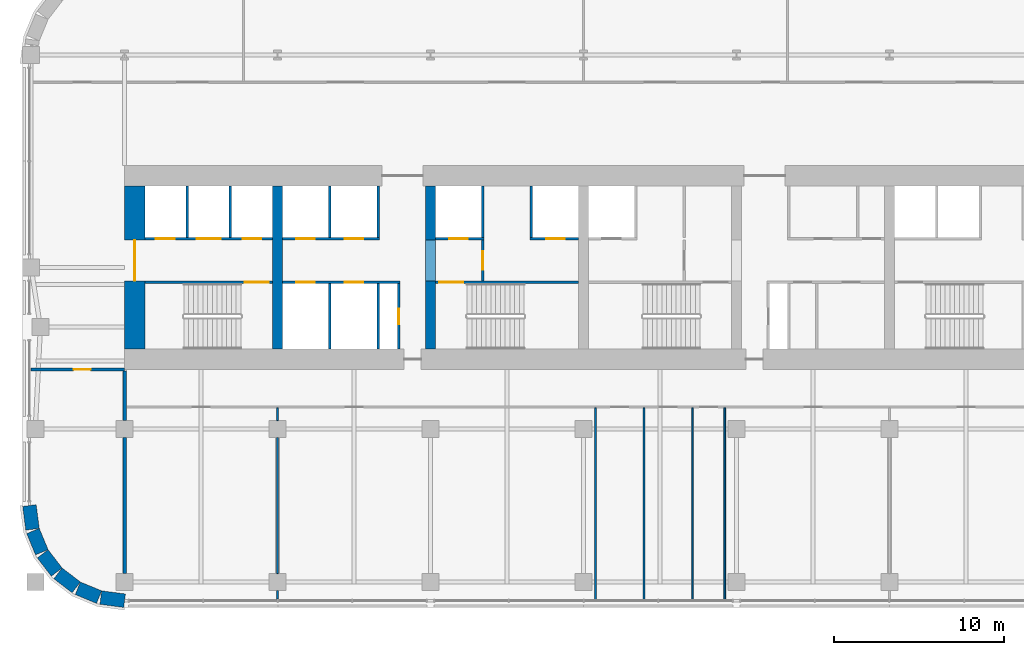
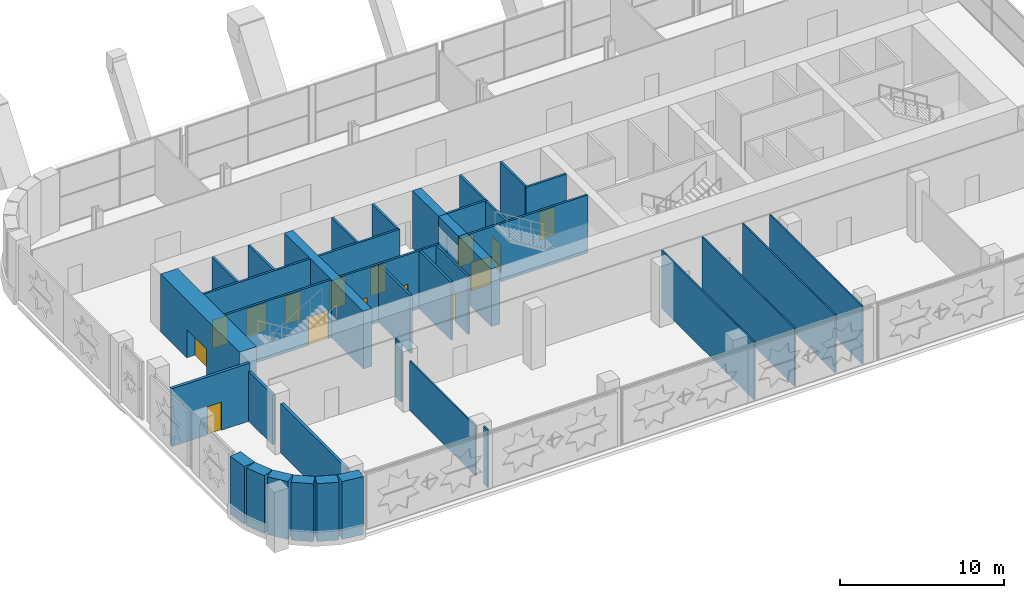
# One storey, part 16 of 24: 38 walls, 15 doors, 15 openings.
"""IFC4 building model written with IfcOpenShell, lengths in metres."""

from ifc_helpers import new_model, si_unit, direction, frame, frame_2d, origin, place, context, subcontext, project, spatial, rectangle, extrude, material, layer, layer_set, type_object, element, fill, save


model = new_model("IFC4")

# Units and contexts
model_context = context("Model", 3, precision=1e-05, world=origin(), true_north=direction((0.0, 1.0)))
body_context = subcontext(model_context, "Body", "Model", "MODEL_VIEW")
ifc_project = project(units=[si_unit("LENGTHUNIT", "METRE"), si_unit("AREAUNIT", "SQUARE_METRE"), si_unit("VOLUMEUNIT", "CUBIC_METRE"), si_unit("PLANEANGLEUNIT", "RADIAN"), si_unit("MASSUNIT", "GRAM", prefix="KILO")], contexts=[model_context])

# Site, building, storey
site_placement = place(None, origin())
site = spatial("IfcSite", under=ifc_project, at=site_placement, CompositionType="ELEMENT")
building_placement = place(site_placement, origin())
building = spatial("IfcBuilding", under=site, at=building_placement, Name="Zellij Exchange Tower", CompositionType="ELEMENT")
storey_placement = place(building_placement, frame((0.0, 0.0, 48.0)))
storey = spatial("IfcBuildingStorey", under=building, at=storey_placement, Name="L08", CompositionType="ELEMENT", Elevation=48.0)

# Walls
ifc_material_1 = material(Name="Concrete C70/85", Category="concrete")
ifc_layer_1 = layer(ifc_material_1, 0.60009765625)
ifc_layer_set_1 = layer_set([ifc_layer_1], Name="Concrete C70/85")
wall_type_1 = type_object("IfcWallType", Name="CORE-CW 600 C70/85", PredefinedType="SHEAR", material=ifc_layer_set_1)
wall_1_placement = place(storey_placement, frame((-18.0, -12.800048828125, 0.0), z_axis=(0.0, 0.0, 1.0), x_axis=(0.0, 1.0, 0.0)))
element("IfcWall", 1, at=wall_1_placement, inside=storey, type_object=wall_type_1, Name="Core cross wall x -18 L08", PredefinedType="SHEAR", context=body_context, shape_type="SweptSolid", body=[
    extrude(rectangle(XDim=9.60009765625, YDim=0.60009765625, at=frame_2d((4.800048828125, 0.0))), origin(), (0.0, 0.0, 1.0), 4.300048828125),
])
wall_2_placement = place(storey_placement, frame((-9.0, -12.800048828125, 0.0), z_axis=(0.0, 0.0, 1.0), x_axis=(0.0, 1.0, 0.0)))
element("IfcWall", 2, at=wall_2_placement, inside=storey, type_object=wall_type_1, Name="Core cross wall pier x -9 a L08", PredefinedType="SHEAR", context=body_context, shape_type="SweptSolid", body=[
    extrude(rectangle(XDim=4.0, YDim=0.60009765625, at=frame_2d((2.0, 0.0))), origin(), (0.0, 0.0, 1.0), 4.300048828125),
])
wall_3_placement = place(storey_placement, frame((-9.0, -6.375, 0.0), z_axis=(0.0, 0.0, 1.0), x_axis=(0.0, 1.0, 0.0)))
element("IfcWall", 3, at=wall_3_placement, inside=storey, type_object=wall_type_1, Name="Core cross wall pier x -9 b L08", PredefinedType="SHEAR", context=body_context, shape_type="SweptSolid", body=[
    extrude(rectangle(XDim=3.175048828125, YDim=0.60009765625, at=frame_2d((1.58740234375, 0.0))), origin(), (0.0, 0.0, 1.0), 4.300048828125),
])
wall_4_placement = place(storey_placement, frame((-9.0, -8.800048828125, 3.60009765625), z_axis=(0.0, 0.0, 1.0), x_axis=(0.0, 1.0, 0.0)))
element("IfcWall", 4, at=wall_4_placement, inside=storey, type_object=wall_type_1, Name="Core cross wall over opening x -9 L08", PredefinedType="SHEAR", context=body_context, shape_type="SweptSolid", body=[
    extrude(rectangle(XDim=2.425048828125, YDim=0.60009765625, at=frame_2d((1.21240234375, 0.0))), origin(), (0.0, 0.0, 1.0), 0.699951171875),
])

# Wall, opening, door
ifc_material_2 = material(Name="Gypsum shaft wall system")
ifc_layer_2 = layer(ifc_material_2, 0.14990234375)
ifc_layer_set_2 = layer_set([ifc_layer_2], Name="Gypsum shaft wall system")
wall_type_2 = type_object("IfcWallType", Name="CORE-PW 150 Firefighting lobby wall", PredefinedType="PARTITIONING", material=ifc_layer_set_2)
wall_5_placement = place(storey_placement, frame((-5.925048828125, -8.800048828125, 0.0), z_axis=(0.0, 0.0, 1.0), x_axis=(0.0, 1.0, 0.0)))
wall_5 = element("IfcWall", 5, at=wall_5_placement, inside=storey, type_object=wall_type_2, Name="Firefighting lobby wall L08", PredefinedType="PARTITIONING", context=body_context, shape_type="SweptSolid", body=[
    extrude(rectangle(XDim=2.425048828125, YDim=0.14990234375, at=frame_2d((1.21240234375, 0.0))), origin(), (0.0, 0.0, 1.0), 4.300048828125),
])
opening_1_placement = place(wall_5_placement, frame((0.662109375, 0.0, 0.0)))
opening_1 = element("IfcOpeningElement", 6, at=opening_1_placement, cuts=wall_5, Name="Opening CA-06.15", PredefinedType="OPENING", context=body_context, shape_type="SweptSolid", body=[
    extrude(rectangle(XDim=1.10009765625, YDim=2.10009765625, at=frame_2d((0.550048828125, 1.050048828125))), frame((0.0, 0.0869140625, 0.0), z_axis=(0.0, -1.0, 0.0), x_axis=(1.0, 0.0, 0.0)), (0.0, 0.0, 1.0), 0.173828125),
])
ifc_material_3 = material(Name="Hollow metal fire door")
door_type_1 = type_object("IfcDoorType", Name="CORE-D F Firefighting lobby door 1100x2100 1 HR", OperationType="NOTDEFINED", PredefinedType="DOOR", material=ifc_material_3)
door_1_placement = place(opening_1_placement, origin())
door_1 = element("IfcDoor", 7, at=door_1_placement, inside=storey, type_object=door_type_1, Name="Firefighting lobby door CA-06.15", OperationType="SINGLE_SWING_LEFT", OverallHeight=2.10009765625, OverallWidth=1.10009765625, PredefinedType="DOOR", context=body_context, shape_type="SweptSolid", body=[
    extrude(rectangle(XDim=1.10009765625, YDim=2.10009765625, at=frame_2d((0.550048828125, 1.050048828125))), frame((0.0, 0.02490234375, 0.0), z_axis=(0.0, -1.0, 0.0), x_axis=(1.0, 0.0, 0.0)), (0.0, 0.0, 1.0), 0.050048828125),
])
fill(opening_1, door_1)

ifc_material_4 = material(Name="Gypsum board partition")
ifc_layer_3 = layer(ifc_material_4, 0.14990234375)
ifc_layer_set_3 = layer_set([ifc_layer_3], Name="Gypsum board partition")
wall_type_3 = type_object("IfcWallType", Name="CORE-PW 150 Lift lobby wall", PredefinedType="PARTITIONING", material=ifc_layer_set_3)
wall_6_placement = place(storey_placement, frame((-10.875, -12.800048828125, 0.0), z_axis=(0.0, 0.0, 1.0), x_axis=(0.0, 1.0, 0.0)))
wall_6 = element("IfcWall", 8, at=wall_6_placement, inside=storey, type_object=wall_type_3, Name="Lift lobby wall L08", PredefinedType="PARTITIONING", context=body_context, shape_type="SweptSolid", body=[
    extrude(rectangle(XDim=3.85009765625, YDim=0.14990234375, at=frame_2d((1.925048828125, 0.0))), origin(), (0.0, 0.0, 1.0), 4.300048828125),
])
opening_2_placement = place(wall_6_placement, frame((1.47509765625, 0.0, 0.0)))
opening_2 = element("IfcOpeningElement", 9, at=opening_2_placement, cuts=wall_6, Name="Opening CA-06.10", PredefinedType="OPENING", context=body_context, shape_type="SweptSolid", body=[
    extrude(rectangle(XDim=0.89990234375, YDim=2.10009765625, at=frame_2d((0.449951171875, 1.050048828125))), frame((0.0, 0.0869140625, 0.0), z_axis=(0.0, -1.0, 0.0), x_axis=(1.0, 0.0, 0.0)), (0.0, 0.0, 1.0), 0.173828125),
])
door_type_2 = type_object("IfcDoorType", Name="CORE-D RD Riser door 900x2100 1.5 HR", OperationType="NOTDEFINED", PredefinedType="DOOR", material=ifc_material_3)
door_2_placement = place(opening_2_placement, origin())
door_2 = element("IfcDoor", 10, at=door_2_placement, inside=storey, type_object=door_type_2, Name="Riser door CA-06.10", OperationType="SINGLE_SWING_RIGHT", OverallHeight=2.10009765625, OverallWidth=0.89990234375, PredefinedType="DOOR", context=body_context, shape_type="SweptSolid", body=[
    extrude(rectangle(XDim=0.89990234375, YDim=2.10009765625, at=frame_2d((0.449951171875, 1.050048828125))), frame((0.0, 0.02490234375, 0.0), z_axis=(0.0, -1.0, 0.0), x_axis=(1.0, 0.0, 0.0)), (0.0, 0.0, 1.0), 0.050048828125),
])
fill(opening_2, door_2)

# Walls
ifc_layer_4 = layer(ifc_material_2, 0.14990234375)
ifc_layer_set_4 = layer_set([ifc_layer_4], Name="Gypsum shaft wall system")
wall_type_4 = type_object("IfcWallType", Name="CORE-PW 150 Lift shaft wall", PredefinedType="PARTITIONING", material=ifc_layer_set_4)
for number, where, z_axis, x_axis, name in (
    (11, (-20.77490234375, -6.22509765625, 0.0), (0.0, 0.0, 1.0), (0.0, 1.0, 0.0), "Lift shaft wall L08"),
    (12, (-23.324951171875, -6.22509765625, 0.0), (0.0, 0.0, 1.0), (0.0, 1.0, 0.0), "Lift shaft wall L08"),
    (13, (-12.074951171875, -6.22509765625, 0.0), (0.0, 0.0, 1.0), (0.0, 1.0, 0.0), "Lift shaft wall L08"),
    (14, (-14.925048828125, -6.22509765625, 0.0), (0.0, 0.0, 1.0), (0.0, 1.0, 0.0), "Lift shaft wall L08"),
    (15, (-3.074951171875, -6.22509765625, 0.0), (0.0, 0.0, 1.0), (0.0, 1.0, 0.0), "Lift shaft wall L08"),
    (16, (-5.925048828125, -6.22509765625, 0.0), (0.0, 0.0, 1.0), (0.0, 1.0, 0.0), "Lift shaft wall L08"),
):
    element("IfcWall", number, at=place(storey_placement, frame(where, z_axis=z_axis, x_axis=x_axis)), inside=storey, type_object=wall_type_4, Name=name, PredefinedType="PARTITIONING", context=body_context, shape_type="SweptSolid", body=[
        extrude(rectangle(XDim=3.025146484375, YDim=0.14990234375, at=frame_2d((1.5126953125, 0.0))), origin(), (0.0, 0.0, 1.0), 4.300048828125),
    ])
for number, where, z_axis, x_axis, name in (
    (17, (-12.074951171875, -12.800048828125, 0.0), (0.0, 0.0, 1.0), (0.0, 1.0, 0.0), "Lift shaft wall L08"),
    (18, (-14.925048828125, -12.800048828125, 0.0), (0.0, 0.0, 1.0), (0.0, 1.0, 0.0), "Lift shaft wall L08"),
):
    element("IfcWall", number, at=place(storey_placement, frame(where, z_axis=z_axis, x_axis=x_axis)), inside=storey, type_object=wall_type_4, Name=name, PredefinedType="PARTITIONING", context=body_context, shape_type="SweptSolid", body=[
        extrude(rectangle(XDim=3.85009765625, YDim=0.14990234375, at=frame_2d((1.925048828125, 0.0))), origin(), (0.0, 0.0, 1.0), 4.300048828125),
    ])

# Wall, openings, doors
wall_7_placement = place(storey_placement, frame((-25.800048828125, -6.300048828125, 0.0), z_axis=(0.0, 0.0, 1.0), x_axis=(1.0, 0.0, 0.0)))
wall_7 = element("IfcWall", 19, at=wall_7_placement, inside=storey, type_object=wall_type_4, Name="Lift shaft wall L08", PredefinedType="PARTITIONING", context=body_context, shape_type="SweptSolid", body=[
    extrude(rectangle(XDim=7.5, YDim=0.14990234375, at=frame_2d((3.75, 0.0))), origin(), (0.0, 0.0, 1.0), 4.300048828125),
])
opening_3_placement = place(wall_7_placement, frame((0.64990234375, 0.0, 0.0)))
opening_3 = element("IfcOpeningElement", 20, at=opening_3_placement, cuts=wall_7, Name="Opening CA-06.02", PredefinedType="OPENING", context=body_context, shape_type="SweptSolid", body=[
    extrude(rectangle(XDim=1.10009765625, YDim=2.10009765625, at=frame_2d((0.550048828125, 1.050048828125))), frame((0.0, 0.0869140625, 0.0), z_axis=(0.0, -1.0, 0.0), x_axis=(1.0, 0.0, 0.0)), (0.0, 0.0, 1.0), 0.173828125),
])
opening_4_placement = place(wall_7_placement, frame((3.050048828125, 0.0, 0.0)))
opening_4 = element("IfcOpeningElement", 21, at=opening_4_placement, cuts=wall_7, Name="Opening CA-06.03", PredefinedType="OPENING", context=body_context, shape_type="SweptSolid", body=[
    extrude(rectangle(XDim=1.39990234375, YDim=2.10009765625, at=frame_2d((0.699951171875, 1.050048828125))), frame((0.0, 0.0869140625, 0.0), z_axis=(0.0, -1.0, 0.0), x_axis=(1.0, 0.0, 0.0)), (0.0, 0.0, 1.0), 0.173828125),
])
opening_5_placement = place(wall_7_placement, frame((5.75, 0.0, 0.0)))
opening_5 = element("IfcOpeningElement", 22, at=opening_5_placement, cuts=wall_7, Name="Opening CA-06.04", PredefinedType="OPENING", context=body_context, shape_type="SweptSolid", body=[
    extrude(rectangle(XDim=1.10009765625, YDim=2.10009765625, at=frame_2d((0.550048828125, 1.050048828125))), frame((0.0, 0.0869140625, 0.0), z_axis=(0.0, -1.0, 0.0), x_axis=(1.0, 0.0, 0.0)), (0.0, 0.0, 1.0), 0.173828125),
])
door_type_3 = type_object("IfcDoorType", Name="CORE-D LD Lift landing door 1100x2100 1.5 HR", OperationType="NOTDEFINED", PredefinedType="DOOR", material=ifc_material_3)
door_3_placement = place(opening_3_placement, origin())
door_3 = element("IfcDoor", 23, at=door_3_placement, inside=storey, type_object=door_type_3, Name="Lift landing door CA-06.02", OperationType="SLIDING_TO_RIGHT", OverallHeight=2.10009765625, OverallWidth=1.10009765625, PredefinedType="DOOR", context=body_context, shape_type="SweptSolid", body=[
    extrude(rectangle(XDim=1.10009765625, YDim=2.10009765625, at=frame_2d((0.550048828125, 1.050048828125))), frame((0.0, 0.02490234375, 0.0), z_axis=(0.0, -1.0, 0.0), x_axis=(1.0, 0.0, 0.0)), (0.0, 0.0, 1.0), 0.050048828125),
])
fill(opening_3, door_3)
door_4_placement = place(opening_5_placement, origin())
door_4 = element("IfcDoor", 24, at=door_4_placement, inside=storey, type_object=door_type_3, Name="Lift landing door CA-06.04", OperationType="SLIDING_TO_RIGHT", OverallHeight=2.10009765625, OverallWidth=1.10009765625, PredefinedType="DOOR", context=body_context, shape_type="SweptSolid", body=[
    extrude(rectangle(XDim=1.10009765625, YDim=2.10009765625, at=frame_2d((0.550048828125, 1.050048828125))), frame((0.0, 0.02490234375, 0.0), z_axis=(0.0, -1.0, 0.0), x_axis=(1.0, 0.0, 0.0)), (0.0, 0.0, 1.0), 0.050048828125),
])
fill(opening_5, door_4)
door_type_4 = type_object("IfcDoorType", Name="CORE-D LD2 Service lift landing door 1400x2100 1.5 HR", OperationType="NOTDEFINED", PredefinedType="DOOR", material=ifc_material_3)
door_5_placement = place(opening_4_placement, origin())
door_5 = element("IfcDoor", 25, at=door_5_placement, inside=storey, type_object=door_type_4, Name="Service lift landing door CA-06.03", OperationType="SLIDING_TO_LEFT", OverallHeight=2.10009765625, OverallWidth=1.39990234375, PredefinedType="DOOR", context=body_context, shape_type="SweptSolid", body=[
    extrude(rectangle(XDim=1.39990234375, YDim=2.10009765625, at=frame_2d((0.699951171875, 1.050048828125))), frame((0.0, 0.02490234375, 0.0), z_axis=(0.0, -1.0, 0.0), x_axis=(1.0, 0.0, 0.0)), (0.0, 0.0, 1.0), 0.050048828125),
])
fill(opening_4, door_5)

wall_8_placement = place(storey_placement, frame((-17.699951171875, -6.300048828125, 0.0), z_axis=(0.0, 0.0, 1.0), x_axis=(1.0, 0.0, 0.0)))
wall_8 = element("IfcWall", 26, at=wall_8_placement, inside=storey, type_object=wall_type_4, Name="Lift shaft wall L08", PredefinedType="PARTITIONING", context=body_context, shape_type="SweptSolid", body=[
    extrude(rectangle(XDim=5.699951171875, YDim=0.14990234375, at=frame_2d((2.85009765625, 0.0))), origin(), (0.0, 0.0, 1.0), 4.300048828125),
])
opening_6_placement = place(wall_8_placement, frame((0.800048828125, 0.0, 0.0)))
opening_6 = element("IfcOpeningElement", 27, at=opening_6_placement, cuts=wall_8, Name="Opening CA-06.07", PredefinedType="OPENING", context=body_context, shape_type="SweptSolid", body=[
    extrude(rectangle(XDim=1.10009765625, YDim=2.10009765625, at=frame_2d((0.550048828125, 1.050048828125))), frame((0.0, 0.0869140625, 0.0), z_axis=(0.0, -1.0, 0.0), x_axis=(1.0, 0.0, 0.0)), (0.0, 0.0, 1.0), 0.173828125),
])
opening_7_placement = place(wall_8_placement, frame((3.64990234375, 0.0, 0.0)))
opening_7 = element("IfcOpeningElement", 28, at=opening_7_placement, cuts=wall_8, Name="Opening CA-06.09", PredefinedType="OPENING", context=body_context, shape_type="SweptSolid", body=[
    extrude(rectangle(XDim=1.10009765625, YDim=2.10009765625, at=frame_2d((0.550048828125, 1.050048828125))), frame((0.0, 0.0869140625, 0.0), z_axis=(0.0, -1.0, 0.0), x_axis=(1.0, 0.0, 0.0)), (0.0, 0.0, 1.0), 0.173828125),
])
door_6_placement = place(opening_6_placement, origin())
door_6 = element("IfcDoor", 29, at=door_6_placement, inside=storey, type_object=door_type_3, Name="Lift landing door CA-06.07", OperationType="SLIDING_TO_LEFT", OverallHeight=2.10009765625, OverallWidth=1.10009765625, PredefinedType="DOOR", context=body_context, shape_type="SweptSolid", body=[
    extrude(rectangle(XDim=1.10009765625, YDim=2.10009765625, at=frame_2d((0.550048828125, 1.050048828125))), frame((0.0, 0.02490234375, 0.0), z_axis=(0.0, -1.0, 0.0), x_axis=(1.0, 0.0, 0.0)), (0.0, 0.0, 1.0), 0.050048828125),
])
fill(opening_6, door_6)
door_7_placement = place(opening_7_placement, origin())
door_7 = element("IfcDoor", 30, at=door_7_placement, inside=storey, type_object=door_type_3, Name="Lift landing door CA-06.09", OperationType="SLIDING_TO_LEFT", OverallHeight=2.10009765625, OverallWidth=1.10009765625, PredefinedType="DOOR", context=body_context, shape_type="SweptSolid", body=[
    extrude(rectangle(XDim=1.10009765625, YDim=2.10009765625, at=frame_2d((0.550048828125, 1.050048828125))), frame((0.0, 0.02490234375, 0.0), z_axis=(0.0, -1.0, 0.0), x_axis=(1.0, 0.0, 0.0)), (0.0, 0.0, 1.0), 0.050048828125),
])
fill(opening_7, door_7)

# Wall, opening, door
wall_9_placement = place(storey_placement, frame((-8.699951171875, -6.300048828125, 0.0), z_axis=(0.0, 0.0, 1.0), x_axis=(1.0, 0.0, 0.0)))
wall_9 = element("IfcWall", 31, at=wall_9_placement, inside=storey, type_object=wall_type_4, Name="Lift shaft wall L08", PredefinedType="PARTITIONING", context=body_context, shape_type="SweptSolid", body=[
    extrude(rectangle(XDim=2.849853515625, YDim=0.14990234375, at=frame_2d((1.4248046875, 0.0))), origin(), (0.0, 0.0, 1.0), 4.300048828125),
])
opening_8_placement = place(wall_9_placement, frame((0.800048828125, 0.0, 0.0)))
opening_8 = element("IfcOpeningElement", 32, at=opening_8_placement, cuts=wall_9, Name="Opening CA-06.14", PredefinedType="OPENING", context=body_context, shape_type="SweptSolid", body=[
    extrude(rectangle(XDim=1.10009765625, YDim=2.10009765625, at=frame_2d((0.550048828125, 1.050048828125))), frame((0.0, 0.0869140625, 0.0), z_axis=(0.0, -1.0, 0.0), x_axis=(1.0, 0.0, 0.0)), (0.0, 0.0, 1.0), 0.173828125),
])
door_8_placement = place(opening_8_placement, origin())
door_8 = element("IfcDoor", 33, at=door_8_placement, inside=storey, type_object=door_type_3, Name="Lift landing door CA-06.14", OperationType="SLIDING_TO_RIGHT", OverallHeight=2.10009765625, OverallWidth=1.10009765625, PredefinedType="DOOR", context=body_context, shape_type="SweptSolid", body=[
    extrude(rectangle(XDim=1.10009765625, YDim=2.10009765625, at=frame_2d((0.550048828125, 1.050048828125))), frame((0.0, 0.02490234375, 0.0), z_axis=(0.0, -1.0, 0.0), x_axis=(1.0, 0.0, 0.0)), (0.0, 0.0, 1.0), 0.050048828125),
])
fill(opening_8, door_8)

wall_10_placement = place(storey_placement, frame((-3.14990234375, -6.300048828125, 0.0), z_axis=(0.0, 0.0, 1.0), x_axis=(1.0, 0.0, 0.0)))
wall_10 = element("IfcWall", 34, at=wall_10_placement, inside=storey, type_object=wall_type_4, Name="Lift shaft wall L08", PredefinedType="PARTITIONING", context=body_context, shape_type="SweptSolid", body=[
    extrude(rectangle(XDim=2.849853515625, YDim=0.14990234375, at=frame_2d((1.4248046875, 0.0))), origin(), (0.0, 0.0, 1.0), 4.300048828125),
])
opening_9_placement = place(wall_10_placement, frame((0.949951171875, 0.0, 0.0)))
opening_9 = element("IfcOpeningElement", 35, at=opening_9_placement, cuts=wall_10, Name="Opening CA-06.16", PredefinedType="OPENING", context=body_context, shape_type="SweptSolid", body=[
    extrude(rectangle(XDim=1.10009765625, YDim=2.10009765625, at=frame_2d((0.550048828125, 1.050048828125))), frame((0.0, 0.0869140625, 0.0), z_axis=(0.0, -1.0, 0.0), x_axis=(1.0, 0.0, 0.0)), (0.0, 0.0, 1.0), 0.173828125),
])
door_9_placement = place(opening_9_placement, origin())
door_9 = element("IfcDoor", 36, at=door_9_placement, inside=storey, type_object=door_type_3, Name="Lift landing door CA-06.16", OperationType="SLIDING_TO_RIGHT", OverallHeight=2.10009765625, OverallWidth=1.10009765625, PredefinedType="DOOR", context=body_context, shape_type="SweptSolid", body=[
    extrude(rectangle(XDim=1.10009765625, YDim=2.10009765625, at=frame_2d((0.550048828125, 1.050048828125))), frame((0.0, 0.02490234375, 0.0), z_axis=(0.0, -1.0, 0.0), x_axis=(1.0, 0.0, 0.0)), (0.0, 0.0, 1.0), 0.050048828125),
])
fill(opening_9, door_9)

# Wall, openings, doors
wall_11_placement = place(storey_placement, frame((-17.699951171875, -8.875, 0.0), z_axis=(0.0, 0.0, 1.0), x_axis=(1.0, 0.0, 0.0)))
wall_11 = element("IfcWall", 37, at=wall_11_placement, inside=storey, type_object=wall_type_4, Name="Lift shaft wall L08", PredefinedType="PARTITIONING", context=body_context, shape_type="SweptSolid", body=[
    extrude(rectangle(XDim=6.89990234375, YDim=0.14990234375, at=frame_2d((3.449951171875, 0.0))), origin(), (0.0, 0.0, 1.0), 4.300048828125),
])
opening_10_placement = place(wall_11_placement, frame((0.800048828125, 0.0, 0.0)))
opening_10 = element("IfcOpeningElement", 38, at=opening_10_placement, cuts=wall_11, Name="Opening CA-06.06", PredefinedType="OPENING", context=body_context, shape_type="SweptSolid", body=[
    extrude(rectangle(XDim=1.10009765625, YDim=2.10009765625, at=frame_2d((0.550048828125, 1.050048828125))), frame((0.0, 0.0869140625, 0.0), z_axis=(0.0, -1.0, 0.0), x_axis=(1.0, 0.0, 0.0)), (0.0, 0.0, 1.0), 0.173828125),
])
opening_11_placement = place(wall_11_placement, frame((3.64990234375, 0.0, 0.0)))
opening_11 = element("IfcOpeningElement", 39, at=opening_11_placement, cuts=wall_11, Name="Opening CA-06.08", PredefinedType="OPENING", context=body_context, shape_type="SweptSolid", body=[
    extrude(rectangle(XDim=1.10009765625, YDim=2.10009765625, at=frame_2d((0.550048828125, 1.050048828125))), frame((0.0, 0.0869140625, 0.0), z_axis=(0.0, -1.0, 0.0), x_axis=(1.0, 0.0, 0.0)), (0.0, 0.0, 1.0), 0.173828125),
])
door_10_placement = place(opening_10_placement, origin())
door_10 = element("IfcDoor", 40, at=door_10_placement, inside=storey, type_object=door_type_3, Name="Lift landing door CA-06.06", OperationType="SLIDING_TO_RIGHT", OverallHeight=2.10009765625, OverallWidth=1.10009765625, PredefinedType="DOOR", context=body_context, shape_type="SweptSolid", body=[
    extrude(rectangle(XDim=1.10009765625, YDim=2.10009765625, at=frame_2d((0.550048828125, 1.050048828125))), frame((0.0, 0.02490234375, 0.0), z_axis=(0.0, -1.0, 0.0), x_axis=(1.0, 0.0, 0.0)), (0.0, 0.0, 1.0), 0.050048828125),
])
fill(opening_10, door_10)
door_11_placement = place(opening_11_placement, origin())
door_11 = element("IfcDoor", 41, at=door_11_placement, inside=storey, type_object=door_type_3, Name="Lift landing door CA-06.08", OperationType="SLIDING_TO_RIGHT", OverallHeight=2.10009765625, OverallWidth=1.10009765625, PredefinedType="DOOR", context=body_context, shape_type="SweptSolid", body=[
    extrude(rectangle(XDim=1.10009765625, YDim=2.10009765625, at=frame_2d((0.550048828125, 1.050048828125))), frame((0.0, 0.02490234375, 0.0), z_axis=(0.0, -1.0, 0.0), x_axis=(1.0, 0.0, 0.0)), (0.0, 0.0, 1.0), 0.050048828125),
])
fill(opening_11, door_11)

# Wall, opening, door
ifc_layer_5 = layer(ifc_material_1, 1.199951171875)
ifc_layer_set_5 = layer_set([ifc_layer_5], Name="Concrete C70/85")
wall_type_5 = type_object("IfcWallType", Name="CORE-SW 1200 C70/85", PredefinedType="SHEAR", material=ifc_layer_set_5)
wall_12_placement = place(storey_placement, frame((-26.39990234375, -12.800048828125, 0.0), z_axis=(0.0, 0.0, 1.0), x_axis=(0.0, 1.0, 0.0)))
wall_12 = element("IfcWall", 42, at=wall_12_placement, inside=storey, type_object=wall_type_5, Name="Core shear wall end w L08", PredefinedType="SHEAR", context=body_context, shape_type="SweptSolid", body=[
    extrude(rectangle(XDim=9.60009765625, YDim=1.199951171875, at=frame_2d((4.800048828125, 0.0))), origin(), (0.0, 0.0, 1.0), 4.300048828125),
])
opening_12_placement = place(wall_12_placement, frame((4.011962890625, 0.0, 0.0)))
opening_12 = element("IfcOpeningElement", 43, at=opening_12_placement, cuts=wall_12, Name="Opening CA-06.01", PredefinedType="OPENING", context=body_context, shape_type="SweptSolid", body=[
    extrude(rectangle(XDim=2.39990234375, YDim=2.10009765625, at=frame_2d((1.199951171875, 1.050048828125))), frame((0.0, 0.61181640625, 0.0), z_axis=(0.0, -1.0, 0.0), x_axis=(1.0, 0.0, 0.0)), (0.0, 0.0, 1.0), 1.223876953125),
])
door_type_5 = type_object("IfcDoorType", Name="CORE-D CE Core entrance door 2400x2100 20 MIN", OperationType="NOTDEFINED", PredefinedType="DOOR", material=ifc_material_3)
door_12_placement = place(opening_12_placement, origin())
door_12 = element("IfcDoor", 44, at=door_12_placement, inside=storey, type_object=door_type_5, Name="Core entrance door CA-06.01", OperationType="DOUBLE_DOOR_SINGLE_SWING", OverallHeight=2.10009765625, OverallWidth=2.39990234375, PredefinedType="DOOR", context=body_context, shape_type="SweptSolid", body=[
    extrude(rectangle(XDim=2.39990234375, YDim=2.10009765625, at=frame_2d((1.199951171875, 1.050048828125))), frame((0.0, 0.02490234375, 0.0), z_axis=(0.0, -1.0, 0.0), x_axis=(1.0, 0.0, 0.0)), (0.0, 0.0, 1.0), 0.050048828125),
])
fill(opening_12, door_12)

ifc_layer_6 = layer(ifc_material_1, 0.14990234375)
ifc_layer_set_6 = layer_set([ifc_layer_6], Name="Concrete C70/85")
wall_type_6 = type_object("IfcWallType", Name="CORE-SWS 150 C70/85", PredefinedType="SHEAR", material=ifc_layer_set_6)
wall_13_placement = place(storey_placement, frame((-25.800048828125, -8.875, 0.0), z_axis=(0.0, 0.0, 1.0), x_axis=(1.0, 0.0, 0.0)))
wall_13 = element("IfcWall", 45, at=wall_13_placement, inside=storey, type_object=wall_type_6, Name="Stair enclosure wall L08", PredefinedType="SHEAR", context=body_context, shape_type="SweptSolid", body=[
    extrude(rectangle(XDim=7.5, YDim=0.14990234375, at=frame_2d((3.75, 0.0))), origin(), (0.0, 0.0, 1.0), 4.300048828125),
])
opening_13_placement = place(wall_13_placement, frame((5.875, 0.0, 0.0)))
opening_13 = element("IfcOpeningElement", 46, at=opening_13_placement, cuts=wall_13, Name="Opening CA-06.05", PredefinedType="OPENING", context=body_context, shape_type="SweptSolid", body=[
    extrude(rectangle(XDim=1.39990234375, YDim=2.10009765625, at=frame_2d((0.699951171875, 1.050048828125))), frame((0.0, 0.0869140625, 0.0), z_axis=(0.0, -1.0, 0.0), x_axis=(1.0, 0.0, 0.0)), (0.0, 0.0, 1.0), 0.173828125),
])
door_type_6 = type_object("IfcDoorType", Name="CORE-D SD Stair door 1400x2100 1.5 HR", OperationType="NOTDEFINED", PredefinedType="DOOR", material=ifc_material_3)
door_13_placement = place(opening_13_placement, origin())
door_13 = element("IfcDoor", 47, at=door_13_placement, inside=storey, type_object=door_type_6, Name="Stair door CA-06.05", OperationType="DOUBLE_DOOR_SINGLE_SWING", OverallHeight=2.10009765625, OverallWidth=1.39990234375, PredefinedType="DOOR", context=body_context, shape_type="SweptSolid", body=[
    extrude(rectangle(XDim=1.39990234375, YDim=2.10009765625, at=frame_2d((0.699951171875, 1.050048828125))), frame((0.0, 0.02490234375, 0.0), z_axis=(0.0, -1.0, 0.0), x_axis=(1.0, 0.0, 0.0)), (0.0, 0.0, 1.0), 0.050048828125),
])
fill(opening_13, door_13)

wall_14_placement = place(storey_placement, frame((-8.699951171875, -8.875, 0.0), z_axis=(0.0, 0.0, 1.0), x_axis=(1.0, 0.0, 0.0)))
wall_14 = element("IfcWall", 48, at=wall_14_placement, inside=storey, type_object=wall_type_6, Name="Stair enclosure wall L08", PredefinedType="SHEAR", context=body_context, shape_type="SweptSolid", body=[
    extrude(rectangle(XDim=8.39990234375, YDim=0.14990234375, at=frame_2d((4.199951171875, 0.0))), origin(), (0.0, 0.0, 1.0), 4.300048828125),
])
opening_14_placement = place(wall_14_placement, frame((0.22509765625, 0.0, 0.0)))
opening_14 = element("IfcOpeningElement", 49, at=opening_14_placement, cuts=wall_14, Name="Opening CA-06.13", PredefinedType="OPENING", context=body_context, shape_type="SweptSolid", body=[
    extrude(rectangle(XDim=1.39990234375, YDim=2.10009765625, at=frame_2d((0.699951171875, 1.050048828125))), frame((0.0, 0.0869140625, 0.0), z_axis=(0.0, -1.0, 0.0), x_axis=(1.0, 0.0, 0.0)), (0.0, 0.0, 1.0), 0.173828125),
])
door_14_placement = place(opening_14_placement, origin())
door_14 = element("IfcDoor", 50, at=door_14_placement, inside=storey, type_object=door_type_6, Name="Stair door CA-06.13", OperationType="DOUBLE_DOOR_SINGLE_SWING", OverallHeight=2.10009765625, OverallWidth=1.39990234375, PredefinedType="DOOR", context=body_context, shape_type="SweptSolid", body=[
    extrude(rectangle(XDim=1.39990234375, YDim=2.10009765625, at=frame_2d((0.699951171875, 1.050048828125))), frame((0.0, 0.02490234375, 0.0), z_axis=(0.0, -1.0, 0.0), x_axis=(1.0, 0.0, 0.0)), (0.0, 0.0, 1.0), 0.050048828125),
])
fill(opening_14, door_14)

# Walls
ifc_material_5 = material(Name="Precast concrete C40/50", Category="concrete")
ifc_layer_7 = layer(ifc_material_5, 0.800048828125)
ifc_layer_set_7 = layer_set([ifc_layer_7], Name="Precast concrete C40/50")
wall_type_7 = type_object("IfcWallType", Name="ENV-EW1 Precast stone-piered wall 800", PredefinedType="SOLIDWALL", material=ifc_layer_set_7)
wall_15_placement = place(storey_placement, frame((-32.5966796875, -21.999755859375, 0.0), z_axis=(0.0, 0.0, 1.0), x_axis=(0.130517283865, -0.99144603414, 0.0)))
element("IfcWall", 51, at=wall_15_placement, inside=storey, type_object=wall_type_7, Name="fac.L08.22", PredefinedType="SOLIDWALL", context=body_context, shape_type="SweptSolid", body=[
    extrude(rectangle(XDim=1.408447265625, YDim=0.800048828125, at=frame_2d((0.7041015625, 0.0))), origin(), (0.0, 0.0, 1.0), 4.300048828125),
])
wall_16_placement = place(storey_placement, frame((-32.3857421875, -23.497314453125, 0.0), z_axis=(0.0, 0.0, 1.0), x_axis=(0.38276009378, -0.923847774587, 0.0)))
element("IfcWall", 52, at=wall_16_placement, inside=storey, type_object=wall_type_7, Name="fac.L08.23", PredefinedType="SOLIDWALL", context=body_context, shape_type="SweptSolid", body=[
    extrude(rectangle(XDim=1.35546875, YDim=0.800048828125, at=frame_2d((0.677734375, 0.0))), origin(), (0.0, 0.0, 1.0), 4.300048828125),
])
for number, where, z_axis, x_axis, name in (
    (53, (-31.814697265625, -24.840087890625, 0.0), (0.0, 0.0, 1.0), (0.608866226366, -0.793272915452, 0.0), "fac.L08.24"),
    (54, (-30.91552734375, -25.9892578125, 0.0), (0.0, 0.0, 1.0), (0.793272915452, -0.608866226366, 0.0), "fac.L08.25"),
):
    element("IfcWall", number, at=place(storey_placement, frame(where, z_axis=z_axis, x_axis=x_axis)), inside=storey, type_object=wall_type_7, Name=name, PredefinedType="SOLIDWALL", context=body_context, shape_type="SweptSolid", body=[
        extrude(rectangle(XDim=1.355712890625, YDim=0.800048828125, at=frame_2d((0.677734375, 0.0))), origin(), (0.0, 0.0, 1.0), 4.300048828125),
    ])
wall_17_placement = place(storey_placement, frame((-29.74951171875, -26.866943359375, 0.0), z_axis=(0.0, 0.0, 1.0), x_axis=(0.923847774587, -0.38276009378, 0.0)))
element("IfcWall", 55, at=wall_17_placement, inside=storey, type_object=wall_type_7, Name="fac.L08.26", PredefinedType="SOLIDWALL", context=body_context, shape_type="SweptSolid", body=[
    extrude(rectangle(XDim=1.35546875, YDim=0.800048828125, at=frame_2d((0.677734375, 0.0))), origin(), (0.0, 0.0, 1.0), 4.300048828125),
])
wall_18_placement = place(storey_placement, frame((-28.396240234375, -27.412841796875, 0.0), z_axis=(0.0, 0.0, 1.0), x_axis=(0.99144603414, -0.130517283865, 0.0)))
element("IfcWall", 56, at=wall_18_placement, inside=storey, type_object=wall_type_7, Name="fac.L08.27", PredefinedType="SOLIDWALL", context=body_context, shape_type="SweptSolid", body=[
    extrude(rectangle(XDim=1.408447265625, YDim=0.800048828125, at=frame_2d((0.7041015625, 0.0))), origin(), (0.0, 0.0, 1.0), 4.300048828125),
])
ifc_material_6 = material(Name="Blockwork partition", Category="masonry")
ifc_layer_8 = layer(ifc_material_6, 0.199951171875)
ifc_layer_set_8 = layer_set([ifc_layer_8], Name="Blockwork partition")
wall_type_8 = type_object("IfcWallType", Name="FIT-BLOCKWORK-200", PredefinedType="PARTITIONING", material=ifc_layer_set_8)
wall_19_placement = place(storey_placement, frame((-27.0, -26.0, 0.0), z_axis=(0.0, 0.0, 1.0), x_axis=(0.0, 1.0, 0.0)))
element("IfcWall", 57, at=wall_19_placement, inside=storey, type_object=wall_type_8, Name="FIT-BLOCKWORK-200 011", PredefinedType="PARTITIONING", context=body_context, shape_type="SweptSolid", body=[
    extrude(rectangle(XDim=8.0, YDim=0.199951171875, at=frame_2d((4.0, 0.0))), origin(), (0.0, 0.0, 1.0), 3.687744140625),
])
wall_20_placement = place(storey_placement, frame((-27.0, -17.0, 0.0), z_axis=(0.0, 0.0, 1.0), x_axis=(0.0, 1.0, 0.0)))
element("IfcWall", 58, at=wall_20_placement, inside=storey, type_object=wall_type_8, Name="FIT-BLOCKWORK-200 012", PredefinedType="PARTITIONING", context=body_context, shape_type="SweptSolid", body=[
    extrude(rectangle(XDim=2.89990234375, YDim=0.199951171875, at=frame_2d((1.449951171875, 0.0))), origin(), (0.0, 0.0, 1.0), 3.687744140625),
])

# Wall, opening, door
wall_21_placement = place(storey_placement, frame((-32.51611328125, -14.0, 0.0), z_axis=(0.0, 0.0, 1.0), x_axis=(1.0, 0.0, 0.0)))
wall_21 = element("IfcWall", 59, at=wall_21_placement, inside=storey, type_object=wall_type_8, Name="FIT-BLOCKWORK-200 016", PredefinedType="PARTITIONING", context=body_context, shape_type="SweptSolid", body=[
    extrude(rectangle(XDim=5.51611328125, YDim=0.199951171875, at=frame_2d((2.758056640625, 0.0))), origin(), (0.0, 0.0, 1.0), 4.300048828125),
])
opening_15_placement = place(wall_21_placement, frame((2.51611328125, 0.0, 0.0)))
opening_15 = element("IfcOpeningElement", 60, at=opening_15_placement, cuts=wall_21, Name="Opening G8.08", PredefinedType="OPENING", context=body_context, shape_type="SweptSolid", body=[
    extrude(rectangle(XDim=1.0, YDim=2.10009765625, at=frame_2d((0.5, 1.050048828125))), frame((0.0, 0.11181640625, 0.0), z_axis=(0.0, -1.0, 0.0), x_axis=(1.0, 0.0, 0.0)), (0.0, 0.0, 1.0), 0.223876953125),
])
ifc_material_7 = material(Name="Timber door set", Category="wood")
door_type_7 = type_object("IfcDoorType", Name="FIT-D2-WIDE-1000X2100", OperationType="SINGLE_SWING_LEFT", PredefinedType="DOOR", material=ifc_material_7)
door_15_placement = place(opening_15_placement, origin())
door_15 = element("IfcDoor", 61, at=door_15_placement, inside=storey, type_object=door_type_7, Name="Door G8.08", OperationType="SINGLE_SWING_LEFT", OverallHeight=2.10009765625, OverallWidth=1.0, PredefinedType="DOOR", context=body_context, shape_type="SweptSolid", body=[
    extrude(rectangle(XDim=1.0, YDim=2.10009765625, at=frame_2d((0.5, 1.050048828125))), frame((0.0, 0.02490234375, 0.0), z_axis=(0.0, -1.0, 0.0), x_axis=(1.0, 0.0, 0.0)), (0.0, 0.0, 1.0), 0.050048828125),
])
fill(opening_15, door_15)

# Walls
ifc_material_8 = material(Name="Gypsum board partition on steel studs", Category="steel")
ifc_layer_9 = layer(ifc_material_8, 0.10009765625)
ifc_layer_set_9 = layer_set([ifc_layer_9], Name="Gypsum board partition on steel studs")
wall_type_9 = type_object("IfcWallType", Name="FIT-PARTITION-100", PredefinedType="PARTITIONING", material=ifc_layer_set_9)
wall_22_placement = place(storey_placement, frame((-18.0, -27.5, 0.0), z_axis=(0.0, 0.0, 1.0), x_axis=(0.0, 1.0, 0.0)))
element("IfcWall", 62, at=wall_22_placement, inside=storey, type_object=wall_type_9, Name="FIT-PARTITION-100 001", PredefinedType="PARTITIONING", context=body_context, shape_type="SweptSolid", body=[
    extrude(rectangle(XDim=0.5, YDim=0.10009765625, at=frame_2d((0.25, 0.0))), origin(), (0.0, 0.0, 1.0), 4.300048828125),
])
wall_23_placement = place(storey_placement, frame((-18.0, -26.0, 0.0), z_axis=(0.0, 0.0, 1.0), x_axis=(0.0, 1.0, 0.0)))
element("IfcWall", 63, at=wall_23_placement, inside=storey, type_object=wall_type_9, Name="FIT-PARTITION-100 002", PredefinedType="PARTITIONING", context=body_context, shape_type="SweptSolid", body=[
    extrude(rectangle(XDim=8.0, YDim=0.10009765625, at=frame_2d((4.0, 0.0))), origin(), (0.0, 0.0, 1.0), 3.687744140625),
])
wall_24_placement = place(storey_placement, frame((-18.0, -17.0, 0.0), z_axis=(0.0, 0.0, 1.0), x_axis=(0.0, 1.0, 0.0)))
element("IfcWall", 64, at=wall_24_placement, inside=storey, type_object=wall_type_9, Name="FIT-PARTITION-100 003", PredefinedType="PARTITIONING", context=body_context, shape_type="SweptSolid", body=[
    extrude(rectangle(XDim=0.75, YDim=0.10009765625, at=frame_2d((0.375, 0.0))), origin(), (0.0, 0.0, 1.0), 4.300048828125),
])
for number, where, z_axis, x_axis, name in (
    (65, (0.699951171875, -27.51611328125, 0.0), (0.0, 0.0, 1.0), (0.0, 1.0, 0.0), "FIT-PARTITION-100 004"),
    (66, (3.550048828125, -27.51611328125, 0.0), (0.0, 0.0, 1.0), (0.0, 1.0, 0.0), "FIT-PARTITION-100 005"),
    (67, (6.39990234375, -27.51611328125, 0.0), (0.0, 0.0, 1.0), (0.0, 1.0, 0.0), "FIT-PARTITION-100 006"),
    (68, (8.300048828125, -27.51611328125, 0.0), (0.0, 0.0, 1.0), (0.0, 1.0, 0.0), "FIT-PARTITION-100 007"),
):
    element("IfcWall", number, at=place(storey_placement, frame(where, z_axis=z_axis, x_axis=x_axis)), inside=storey, type_object=wall_type_9, Name=name, PredefinedType="PARTITIONING", context=body_context, shape_type="SweptSolid", body=[
        extrude(rectangle(XDim=11.26611328125, YDim=0.10009765625, at=frame_2d((5.633056640625, 0.0))), origin(), (0.0, 0.0, 1.0), 4.300048828125),
    ])

save(model, "model.ifc")
